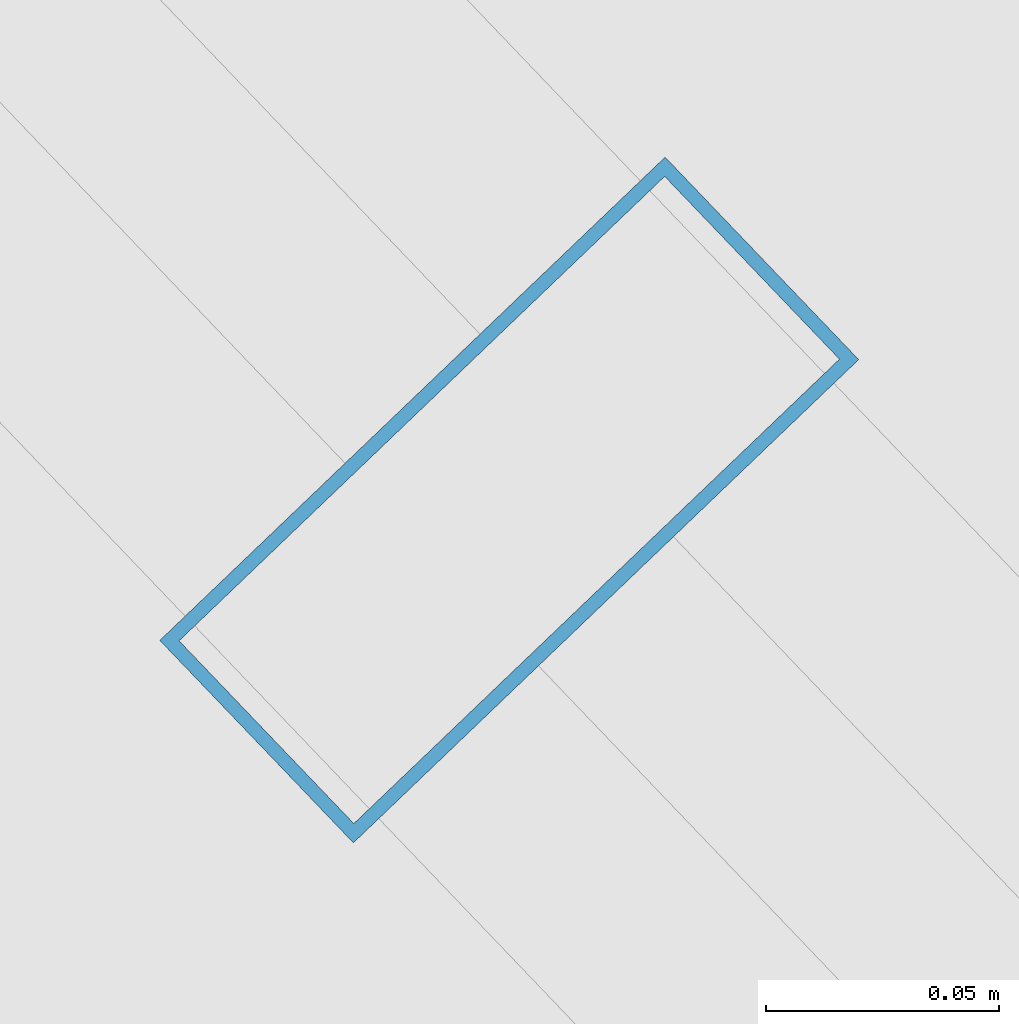
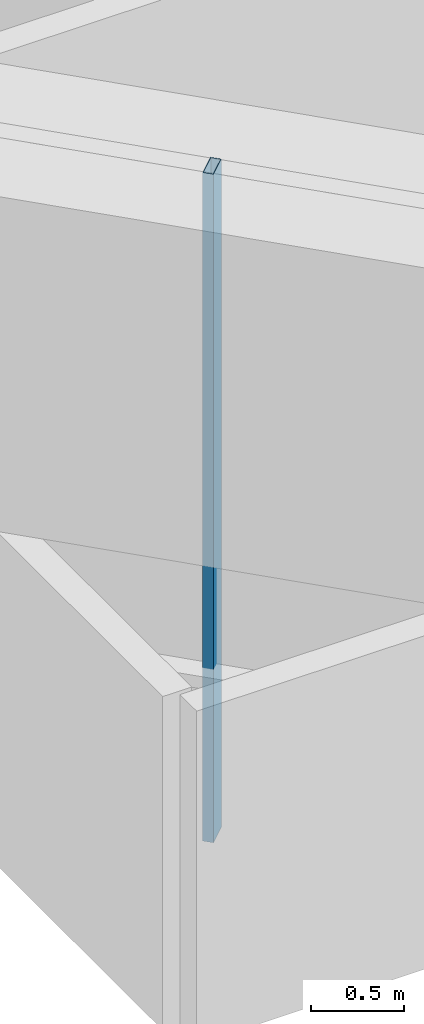
# One storey, part 2 of 39: 1 member, 1 element without a shape of its own.
"""IFC4 building model written with IfcOpenShell, lengths in metres."""

from ifc_helpers import new_model, si_unit, direction, frame, origin, origin_2d, place, context, subcontext, project, spatial, hollow_rectangle, extrude, source, transform, mapped, material, layer, layer_set, material_profile, profile_set, type_object, element, aggregate, save


model = new_model("IFC4")

# Units and contexts
model_context = context("Model", 3, precision=1e-05, world=origin(), true_north=direction((0.0, 1.0)))
body_context = subcontext(model_context, "Body", "Model", "MODEL_VIEW")
ifc_project = project(units=[si_unit("LENGTHUNIT", "METRE"), si_unit("AREAUNIT", "SQUARE_METRE"), si_unit("VOLUMEUNIT", "CUBIC_METRE"), si_unit("PLANEANGLEUNIT", "RADIAN"), si_unit("MASSUNIT", "GRAM", prefix="KILO")], contexts=[model_context])

# Site, building, storey
site_placement = place(None, origin())
site = spatial("IfcSite", under=ifc_project, at=site_placement, CompositionType="ELEMENT")
building_placement = place(site_placement, origin())
building = spatial("IfcBuilding", under=site, at=building_placement, Name="Veraguas Prism Commons", CompositionType="ELEMENT")
storey_placement = place(building_placement, frame((0.0, 0.0, 264.25)))
storey = spatial("IfcBuildingStorey", under=building, at=storey_placement, Name="L75", CompositionType="ELEMENT", Elevation=264.25)

# Curtain wall, member
ifc_material = material(Name="Anodised aluminium EN AW-6063 T6", Category="aluminium")
ifc_layer = layer(ifc_material, 0.14990234375, Name="Unitised Flush Curtain Wall Zone 4", Category="aluminium")
ifc_layer_set = layer_set([ifc_layer], Name="Anodised aluminium EN AW-6063 T6")
curtain_wall_type = type_object("IfcCurtainWallType", Name="Unitised Flush Curtain Wall Zone 4", PredefinedType="NOTDEFINED", material=ifc_layer_set)
curtain_wall_placement = place(storey_placement, origin())
curtain_wall = element("IfcCurtainWall", 1, at=curtain_wall_placement, inside=storey, type_object=curtain_wall_type, Name="Tower Facade Curtain Wall L75-F4", PredefinedType="NOTDEFINED")
ifc_material_profile = material_profile(ifc_material, hollow_rectangle(XDim=0.06005859375, YDim=0.14990234375, WallThickness=0.0029296875, at=origin_2d()), Name="AL60X150X3")
ifc_profile_set = profile_set([ifc_material_profile], Name="Anodised aluminium EN AW-6063 T6")
member_type = type_object("IfcMemberType", Name="Curtain Wall Mullion Upper AL 60x150x3", PredefinedType="MULLION", material=ifc_profile_set)
shared_shape = source(origin(), body_context, "Body", "SweptSolid", [
    extrude(hollow_rectangle(XDim=0.06005859375, YDim=0.14990234375, WallThickness=0.0029296875, at=origin_2d()), origin(), (0.0, 0.0, 1.0), 4.389892578125),
])
member_placement = place(storey_placement, frame((12.10791015625, 12.627685546875, 0.0), z_axis=(0.0, 0.0, 1.0), x_axis=(0.691134732122, -0.722725938412, 0.0)))
member = element("IfcMember", 2, at=member_placement, type_object=member_type, Name="CW-Z4 Mullion 3", PredefinedType="MULLION", context=body_context, shape_type="MappedRepresentation", body=[
    mapped(shared_shape, transform((0.0, 0.0, 0.0), scale=1.0)),
])
aggregate(curtain_wall, [member])

save(model, "model.ifc")
